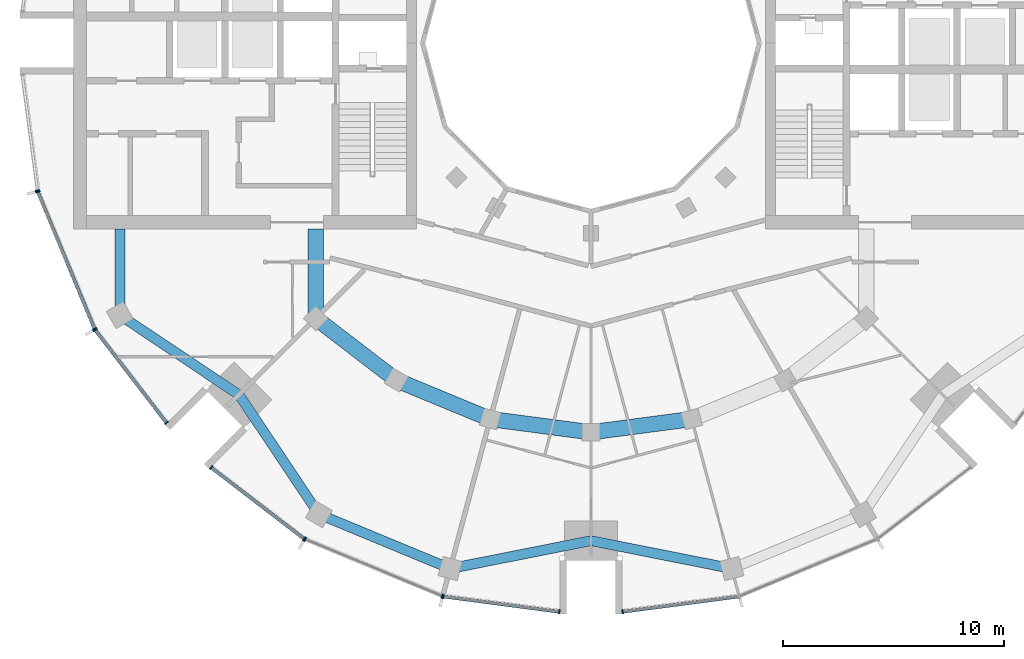
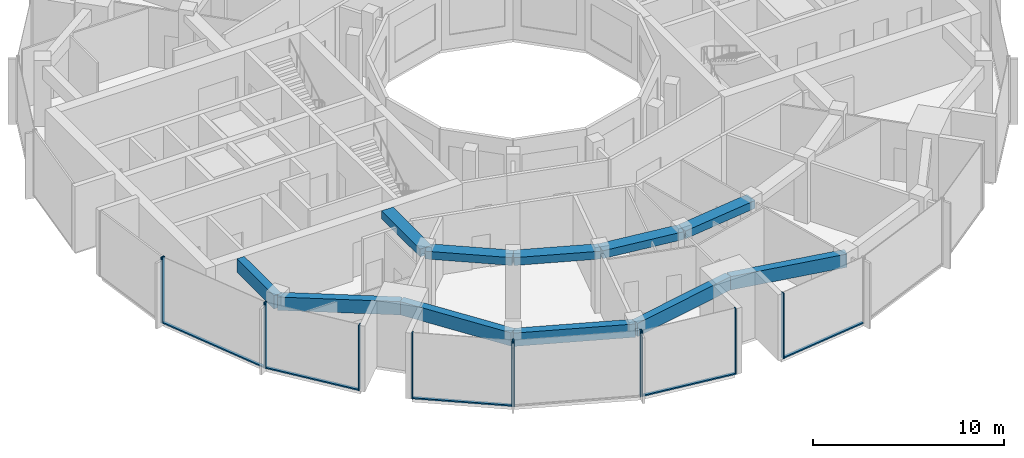
# One storey, part 2 of 15: 17 members, 11 beams, 7 elements without a shape of their own.
"""IFC4 building model written with IfcOpenShell, lengths in metres."""

from ifc_helpers import new_model, si_unit, direction, frame, origin, origin_2d, place, context, subcontext, project, spatial, rectangle, extrude, material, layer, layer_set, material_profile, profile_set, type_object, element, aggregate, save


model = new_model("IFC4")

# Units and contexts
model_context = context("Model", 3, precision=1e-05, world=origin(), true_north=direction((0.0, 1.0)))
body_context = subcontext(model_context, "Body", "Model", "MODEL_VIEW")
ifc_project = project(units=[si_unit("LENGTHUNIT", "METRE"), si_unit("AREAUNIT", "SQUARE_METRE"), si_unit("VOLUMEUNIT", "CUBIC_METRE"), si_unit("PLANEANGLEUNIT", "RADIAN"), si_unit("MASSUNIT", "GRAM", prefix="KILO")], contexts=[model_context])

# Site, building, storey
site_placement = place(None, origin())
site = spatial("IfcSite", under=ifc_project, at=site_placement, CompositionType="ELEMENT")
building_placement = place(site_placement, origin())
building = spatial("IfcBuilding", under=site, at=building_placement, Name="Torre Brocal", CompositionType="ELEMENT")
storey_placement = place(building_placement, frame((0.0, 0.0, 262.5)))
storey = spatial("IfcBuildingStorey", under=building, at=storey_placement, Name="L60", CompositionType="ELEMENT", Elevation=262.5)

# Curtain wall, members
ifc_material_1 = material(Name="Aluminium and glass", Category="aluminium")
ifc_layer_1 = layer(ifc_material_1, 0.199951171875)
ifc_layer_set_1 = layer_set([ifc_layer_1], Name="Aluminium and glass")
curtain_wall_type_1 = type_object("IfcCurtainWallType", Name="CW-1 CURTAIN WALL 4200 HIGH", PredefinedType="NOTDEFINED", material=ifc_layer_set_1)
curtain_wall_1_placement = place(storey_placement, origin())
curtain_wall_1 = element("IfcCurtainWall", 1, at=curtain_wall_1_placement, inside=storey, type_object=curtain_wall_type_1, Name="CW-1 RUN 14", PredefinedType="NOTDEFINED")
ifc_material_2 = material(Name="Aluminium, dark anodised", Category="aluminium")
ifc_material_profile_1 = material_profile(ifc_material_2, rectangle(XDim=0.199951171875, YDim=0.06005859375, at=origin_2d()), Name="CW-1 MULLION 60X200")
ifc_profile_set_1 = profile_set([ifc_material_profile_1], Name="Aluminium, dark anodised")
member_type_1 = type_object("IfcMemberType", Name="CW-1 MULLION 60X200", PredefinedType="MULLION", material=ifc_profile_set_1)
member_1_placement = place(storey_placement, frame((54.994873046875, 68.26904296875, 0.0), z_axis=(0.0, 0.0, 1.0), x_axis=(0.923879532525, 0.382683432333, 0.0)))
member_1 = element("IfcMember", 2, at=member_1_placement, type_object=member_type_1, Name="CW1-5 mullion 1", PredefinedType="MULLION", context=body_context, shape_type="SweptSolid", body=[
    extrude(rectangle(XDim=0.199951171875, YDim=0.06005859375, at=origin_2d()), origin(), (0.0, 0.0, 1.0), 4.199951171875),
])
member_2_placement = place(storey_placement, frame((57.559326171875, 62.078125, 0.0), z_axis=(0.0, 0.0, 1.0), x_axis=(0.923879532525, 0.382683432333, 0.0)))
member_2 = element("IfcMember", 3, at=member_2_placement, type_object=member_type_1, Name="CW1-5 mullion 2", PredefinedType="MULLION", context=body_context, shape_type="SweptSolid", body=[
    extrude(rectangle(XDim=0.199951171875, YDim=0.06005859375, at=origin_2d()), origin(), (0.0, 0.0, 1.0), 4.199951171875),
])

curtain_wall_2_placement = place(storey_placement, origin())
curtain_wall_2 = element("IfcCurtainWall", 4, at=curtain_wall_2_placement, inside=storey, type_object=curtain_wall_type_1, Name="CW-1 RUN 15", PredefinedType="NOTDEFINED")
member_3_placement = place(storey_placement, frame((57.5888671875, 62.026611328125, 0.0), z_axis=(0.0, 0.0, 1.0), x_axis=(0.793353340259, 0.60876142905, 0.0)))
member_3 = element("IfcMember", 5, at=member_3_placement, type_object=member_type_1, Name="CW1-5 mullion 1", PredefinedType="MULLION", context=body_context, shape_type="SweptSolid", body=[
    extrude(rectangle(XDim=0.199951171875, YDim=0.06005859375, at=origin_2d()), origin(), (0.0, 0.0, 1.0), 4.199951171875),
])
member_4_placement = place(storey_placement, frame((60.80859375, 57.83056640625, 0.0), z_axis=(0.0, 0.0, 1.0), x_axis=(0.793353340259, 0.60876142905, 0.0)))
member_4 = element("IfcMember", 6, at=member_4_placement, type_object=member_type_1, Name="CW1-5 mullion 2", PredefinedType="MULLION", context=body_context, shape_type="SweptSolid", body=[
    extrude(rectangle(XDim=0.199951171875, YDim=0.06005859375, at=origin_2d()), origin(), (0.0, 0.0, 1.0), 4.199951171875),
])

curtain_wall_3_placement = place(storey_placement, origin())
curtain_wall_3 = element("IfcCurtainWall", 7, at=curtain_wall_3_placement, inside=storey, type_object=curtain_wall_type_1, Name="CW-1 RUN 16", PredefinedType="NOTDEFINED")
member_5_placement = place(storey_placement, frame((62.83056640625, 55.80859375, 0.0), z_axis=(0.0, 0.0, 1.0), x_axis=(0.60876142905, 0.793353340259, 0.0)))
member_5 = element("IfcMember", 8, at=member_5_placement, type_object=member_type_1, Name="CW1-5 mullion 1", PredefinedType="MULLION", context=body_context, shape_type="SweptSolid", body=[
    extrude(rectangle(XDim=0.199951171875, YDim=0.06005859375, at=origin_2d()), origin(), (0.0, 0.0, 1.0), 4.199951171875),
])
member_6_placement = place(storey_placement, frame((67.026611328125, 52.5888671875, 0.0), z_axis=(0.0, 0.0, 1.0), x_axis=(0.60876142905, 0.793353340259, 0.0)))
member_6 = element("IfcMember", 9, at=member_6_placement, type_object=member_type_1, Name="CW1-5 mullion 2", PredefinedType="MULLION", context=body_context, shape_type="SweptSolid", body=[
    extrude(rectangle(XDim=0.199951171875, YDim=0.06005859375, at=origin_2d()), origin(), (0.0, 0.0, 1.0), 4.199951171875),
])

curtain_wall_4_placement = place(storey_placement, origin())
curtain_wall_4 = element("IfcCurtainWall", 10, at=curtain_wall_4_placement, inside=storey, type_object=curtain_wall_type_1, Name="CW-1 RUN 17", PredefinedType="NOTDEFINED")
member_7_placement = place(storey_placement, frame((67.078125, 52.559326171875, 0.0), z_axis=(0.0, 0.0, 1.0), x_axis=(0.382683432333, 0.923879532525, 0.0)))
member_7 = element("IfcMember", 11, at=member_7_placement, type_object=member_type_1, Name="CW1-5 mullion 1", PredefinedType="MULLION", context=body_context, shape_type="SweptSolid", body=[
    extrude(rectangle(XDim=0.199951171875, YDim=0.06005859375, at=origin_2d()), origin(), (0.0, 0.0, 1.0), 4.199951171875),
])
member_8_placement = place(storey_placement, frame((73.26904296875, 49.994873046875, 0.0), z_axis=(0.0, 0.0, 1.0), x_axis=(0.382683432333, 0.923879532525, 0.0)))
member_8 = element("IfcMember", 12, at=member_8_placement, type_object=member_type_1, Name="CW1-5 mullion 2", PredefinedType="MULLION", context=body_context, shape_type="SweptSolid", body=[
    extrude(rectangle(XDim=0.199951171875, YDim=0.06005859375, at=origin_2d()), origin(), (0.0, 0.0, 1.0), 4.199951171875),
])
aggregate(curtain_wall_4, [member_7, member_8])

curtain_wall_5_placement = place(storey_placement, origin())
curtain_wall_5 = element("IfcCurtainWall", 13, at=curtain_wall_5_placement, inside=storey, type_object=curtain_wall_type_1, Name="CW-1 RUN 18", PredefinedType="NOTDEFINED")
member_9_placement = place(storey_placement, frame((73.32666015625, 49.9794921875, 0.0), z_axis=(0.0, 0.0, 1.0), x_axis=(0.13052619222, 0.991444861374, 0.0)))
member_9 = element("IfcMember", 14, at=member_9_placement, type_object=member_type_1, Name="CW1-5 mullion 1", PredefinedType="MULLION", context=body_context, shape_type="SweptSolid", body=[
    extrude(rectangle(XDim=0.199951171875, YDim=0.06005859375, at=origin_2d()), origin(), (0.0, 0.0, 1.0), 4.199951171875),
])
member_10_placement = place(storey_placement, frame((78.5703125, 49.2890625, 0.0), z_axis=(0.0, 0.0, 1.0), x_axis=(0.13052619222, 0.991444861374, 0.0)))
member_10 = element("IfcMember", 15, at=member_10_placement, type_object=member_type_1, Name="CW1-5 mullion 2", PredefinedType="MULLION", context=body_context, shape_type="SweptSolid", body=[
    extrude(rectangle(XDim=0.199951171875, YDim=0.06005859375, at=origin_2d()), origin(), (0.0, 0.0, 1.0), 4.199951171875),
])

# Curtain wall, member
curtain_wall_6_placement = place(storey_placement, origin())
curtain_wall_6 = element("IfcCurtainWall", 16, at=curtain_wall_6_placement, inside=storey, type_object=curtain_wall_type_1, Name="CW-1 RUN 19", PredefinedType="NOTDEFINED")
member_11_placement = place(storey_placement, frame((81.4296875, 49.2890625, 0.0), z_axis=(0.0, 0.0, 1.0), x_axis=(-0.13052619222, 0.991444861374, 0.0)))
member_11 = element("IfcMember", 17, at=member_11_placement, type_object=member_type_1, Name="CW1-5 mullion 1", PredefinedType="MULLION", context=body_context, shape_type="SweptSolid", body=[
    extrude(rectangle(XDim=0.199951171875, YDim=0.06005859375, at=origin_2d()), origin(), (0.0, 0.0, 1.0), 4.199951171875),
])

# Member
ifc_material_3 = material(Name="Aluminium, dark anodised", Category="aluminium")
ifc_material_profile_2 = material_profile(ifc_material_3, rectangle(XDim=0.159912109375, YDim=0.080078125, at=origin_2d()), Name="CW-1 TRANSOM 160X80")
ifc_profile_set_2 = profile_set([ifc_material_profile_2], Name="Aluminium, dark anodised")
member_type_2 = type_object("IfcMemberType", Name="CW-1 TRANSOM 160X80", PredefinedType="USERDEFINED", material=ifc_profile_set_2)
member_12_placement = place(storey_placement, frame((55.00634765625, 68.241455078125, 0.0400390625), z_axis=(0.38266457234, -0.923887344364, 0.0), x_axis=(0.923887344364, 0.38266457234, 0.0)))
member_12 = element("IfcMember", 18, at=member_12_placement, type_object=member_type_2, Name="CW1-5 transom 1.1", ObjectType="TRANSOM", PredefinedType="USERDEFINED", context=body_context, shape_type="SweptSolid", body=[
    extrude(rectangle(XDim=0.159912109375, YDim=0.080078125, at=origin_2d()), origin(), (0.0, 0.0, 1.0), 6.640869140625),
])

aggregate(curtain_wall_1, [member_1, member_2, member_12])

member_13_placement = place(storey_placement, frame((57.607177734375, 62.0029296875, 0.0400390625), z_axis=(0.60874908096, -0.79336281513, 0.0), x_axis=(0.79336281513, 0.60874908096, 0.0)))
member_13 = element("IfcMember", 19, at=member_13_placement, type_object=member_type_2, Name="CW1-5 transom 1.1", ObjectType="TRANSOM", PredefinedType="USERDEFINED", context=body_context, shape_type="SweptSolid", body=[
    extrude(rectangle(XDim=0.159912109375, YDim=0.080078125, at=origin_2d()), origin(), (0.0, 0.0, 1.0), 5.22900390625),
])

aggregate(curtain_wall_2, [member_3, member_4, member_13])

member_14_placement = place(storey_placement, frame((62.8544921875, 55.790283203125, 0.0400390625), z_axis=(0.79336281513, -0.60874908096, 0.0), x_axis=(0.60874908096, 0.79336281513, 0.0)))
member_14 = element("IfcMember", 20, at=member_14_placement, type_object=member_type_2, Name="CW1-5 transom 1.1", ObjectType="TRANSOM", PredefinedType="USERDEFINED", context=body_context, shape_type="SweptSolid", body=[
    extrude(rectangle(XDim=0.159912109375, YDim=0.080078125, at=origin_2d()), origin(), (0.0, 0.0, 1.0), 5.22900390625),
])

aggregate(curtain_wall_3, [member_5, member_6, member_14])

member_15_placement = place(storey_placement, frame((73.356201171875, 49.9755859375, 0.0400390625), z_axis=(0.991442690863, -0.130542677827, 0.0), x_axis=(0.130542677827, 0.991442690863, 0.0)))
member_15 = element("IfcMember", 21, at=member_15_placement, type_object=member_type_2, Name="CW1-5 transom 1.1", ObjectType="TRANSOM", PredefinedType="USERDEFINED", context=body_context, shape_type="SweptSolid", body=[
    extrude(rectangle(XDim=0.159912109375, YDim=0.080078125, at=origin_2d()), origin(), (0.0, 0.0, 1.0), 5.22900390625),
])

aggregate(curtain_wall_5, [member_9, member_10, member_15])

member_16_placement = place(storey_placement, frame((81.45947265625, 49.29296875, 0.0400390625), z_axis=(0.991442690863, 0.130542677827, 0.0), x_axis=(-0.130542677827, 0.991442690863, 0.0)))
member_16 = element("IfcMember", 22, at=member_16_placement, type_object=member_type_2, Name="CW1-5 transom 1.1", ObjectType="TRANSOM", PredefinedType="USERDEFINED", context=body_context, shape_type="SweptSolid", body=[
    extrude(rectangle(XDim=0.159912109375, YDim=0.080078125, at=origin_2d()), origin(), (0.0, 0.0, 1.0), 5.22900390625),
])

aggregate(curtain_wall_6, [member_11, member_16])

# Curtain wall, member
ifc_material_4 = material(Name="Aluminium and glass", Category="aluminium")
ifc_layer_2 = layer(ifc_material_4, 0.199951171875)
ifc_layer_set_2 = layer_set([ifc_layer_2], Name="Aluminium and glass")
curtain_wall_type_2 = type_object("IfcCurtainWallType", Name="CW-1B CURTAIN WALL 4200 HIGH", PredefinedType="NOTDEFINED", material=ifc_layer_set_2)
curtain_wall_7_placement = place(storey_placement, origin())
curtain_wall_7 = element("IfcCurtainWall", 23, at=curtain_wall_7_placement, inside=storey, type_object=curtain_wall_type_2, Name="CW-1B RUN 13", PredefinedType="NOTDEFINED")
ifc_material_5 = material(Name="Aluminium, dark anodised", Category="aluminium")
ifc_material_profile_3 = material_profile(ifc_material_5, rectangle(XDim=0.199951171875, YDim=0.06005859375, at=origin_2d()), Name="CW-1B MULLION 60X200")
ifc_profile_set_3 = profile_set([ifc_material_profile_3], Name="Aluminium, dark anodised")
member_type_3 = type_object("IfcMemberType", Name="CW-1B MULLION 60X200", PredefinedType="MULLION", material=ifc_profile_set_3)
member_17_placement = place(storey_placement, frame((54.9794921875, 68.32666015625, 0.0), z_axis=(0.0, 0.0, 1.0), x_axis=(0.991444861374, 0.13052619222, 0.0)))
member_17 = element("IfcMember", 24, at=member_17_placement, type_object=member_type_3, Name="CW1B-5 mullion 2", PredefinedType="MULLION", context=body_context, shape_type="SweptSolid", body=[
    extrude(rectangle(XDim=0.199951171875, YDim=0.06005859375, at=origin_2d()), origin(), (0.0, 0.0, 1.0), 4.199951171875),
])
aggregate(curtain_wall_7, [member_17])

# Beams
ifc_material_6 = material(Name="Concrete C50", Category="concrete")
ifc_material_profile_4 = material_profile(ifc_material_6, rectangle(XDim=0.699951171875, YDim=0.5, at=origin_2d()), Name="RC 700X500")
ifc_profile_set_4 = profile_set([ifc_material_profile_4], Name="Concrete C50")
beam_type_1 = type_object("IfcBeamType", Name="RC BEAM 700X500 C50 TOP 3880", PredefinedType="BEAM", material=ifc_profile_set_4)
beam_1_placement = place(storey_placement, frame((67.554931640625, 62.554931640625, 3.6298828125), z_axis=(0.0, 1.0, 0.0), x_axis=(-1.0, 0.0, 0.0)))
element("IfcBeam", 25, at=beam_1_placement, inside=storey, type_object=beam_type_1, Name="Beam BT-37", PredefinedType="BEAM", context=body_context, shape_type="SweptSolid", body=[
    extrude(rectangle(XDim=0.699951171875, YDim=0.5, at=origin_2d()), origin(), (0.0, 0.0, 1.0), 4.045166015625),
])
beam_2_placement = place(storey_placement, frame((67.554931640625, 62.554931640625, 3.6298828125), z_axis=(0.793358265959, -0.6087550097, 0.0), x_axis=(0.6087550097, 0.793358265959, 0.0)))
element("IfcBeam", 26, at=beam_2_placement, inside=storey, type_object=beam_type_1, Name="Beam BT-37", PredefinedType="BEAM", context=body_context, shape_type="SweptSolid", body=[
    extrude(rectangle(XDim=0.699951171875, YDim=0.5, at=origin_2d()), origin(), (0.0, 0.0, 1.0), 4.594482421875),
])
beam_3_placement = place(storey_placement, frame((71.199951171875, 59.758056640625, 3.6298828125), z_axis=(0.923878240166, -0.382686552348, 0.0), x_axis=(0.382686552348, 0.923878240166, 0.0)))
element("IfcBeam", 27, at=beam_3_placement, inside=storey, type_object=beam_type_1, Name="Beam BT-37", PredefinedType="BEAM", context=body_context, shape_type="SweptSolid", body=[
    extrude(rectangle(XDim=0.699951171875, YDim=0.5, at=origin_2d()), origin(), (0.0, 0.0, 1.0), 4.5947265625),
])
for number, where, z_axis, x_axis, name in (
    (28, (75.44482421875, 57.999755859375, 3.6298828125), (0.991440544449, -0.130558978332, 0.0), (0.130558978332, 0.991440544449, 0.0), "Beam BT-37"),
    (29, (80.0, 57.39990234375, 3.6298828125), (0.991440544449, 0.130558978332, 0.0), (-0.130558978332, 0.991440544449, 0.0), "Beam BT-37"),
):
    element("IfcBeam", number, at=place(storey_placement, frame(where, z_axis=z_axis, x_axis=x_axis)), inside=storey, type_object=beam_type_1, Name=name, PredefinedType="BEAM", context=body_context, shape_type="SweptSolid", body=[
        extrude(rectangle(XDim=0.699951171875, YDim=0.5, at=origin_2d()), origin(), (0.0, 0.0, 1.0), 4.594482421875),
    ])
ifc_material_7 = material(Name="Concrete C50", Category="concrete")
ifc_material_profile_5 = material_profile(ifc_material_7, rectangle(XDim=0.449951171875, YDim=0.85009765625, at=origin_2d()), Name="RC 450X850")
ifc_profile_set_5 = profile_set([ifc_material_profile_5], Name="Concrete C50")
beam_type_2 = type_object("IfcBeamType", Name="RC SPANDREL BEAM 450X850 C50 TOP 3880", PredefinedType="SPANDREL", material=ifc_profile_set_5)
beam_4_placement = place(storey_placement, frame((58.69580078125, 62.699951171875, 3.455078125), z_axis=(0.0, 1.0, 0.0), x_axis=(-1.0, 0.0, 0.0)))
element("IfcBeam", 30, at=beam_4_placement, inside=storey, type_object=beam_type_2, Name="Beam BT-38", PredefinedType="SPANDREL", context=body_context, shape_type="SweptSolid", body=[
    extrude(rectangle(XDim=0.449951171875, YDim=0.85009765625, at=origin_2d()), origin(), (0.0, 0.0, 1.0), 3.900146484375),
])
for number, where, z_axis, x_axis, name in (
    (31, (58.69580078125, 62.699951171875, 3.455078125), (0.831076844476, -0.556157602282, 0.0), (0.556157602282, 0.831076844476, 0.0), "Beam BT-38"),
    (32, (64.090087890625, 59.090087890625, 3.455078125), (0.556157602282, -0.831076844476, 0.0), (0.831076844476, 0.556157602282, 0.0), "Beam BT-38"),
):
    element("IfcBeam", number, at=place(storey_placement, frame(where, z_axis=z_axis, x_axis=x_axis)), inside=storey, type_object=beam_type_2, Name=name, PredefinedType="SPANDREL", context=body_context, shape_type="SweptSolid", body=[
        extrude(rectangle(XDim=0.449951171875, YDim=0.85009765625, at=origin_2d()), origin(), (0.0, 0.0, 1.0), 6.49072265625),
    ])
beam_5_placement = place(storey_placement, frame((67.699951171875, 53.69580078125, 3.455078125), z_axis=(0.923882462513, -0.382676358639, 0.0), x_axis=(0.382676358639, 0.923882462513, 0.0)))
element("IfcBeam", 33, at=beam_5_placement, inside=storey, type_object=beam_type_2, Name="Beam BT-38", PredefinedType="SPANDREL", context=body_context, shape_type="SweptSolid", body=[
    extrude(rectangle(XDim=0.449951171875, YDim=0.85009765625, at=origin_2d()), origin(), (0.0, 0.0, 1.0), 6.421875),
])
for number, where, z_axis, x_axis, name in (
    (34, (73.633056640625, 51.23828125, 3.455078125), (0.980924907484, 0.194387051723, 0.0), (-0.194387051723, 0.980924907484, 0.0), "Beam BT-38"),
    (35, (80.0, 52.5, 3.455078125), (0.980924907484, -0.194387051723, 0.0), (0.194387051723, 0.980924907484, 0.0), "Beam BT-38"),
):
    element("IfcBeam", number, at=place(storey_placement, frame(where, z_axis=z_axis, x_axis=x_axis)), inside=storey, type_object=beam_type_2, Name=name, PredefinedType="SPANDREL", context=body_context, shape_type="SweptSolid", body=[
        extrude(rectangle(XDim=0.449951171875, YDim=0.85009765625, at=origin_2d()), origin(), (0.0, 0.0, 1.0), 6.49072265625),
    ])

save(model, "model.ifc")
